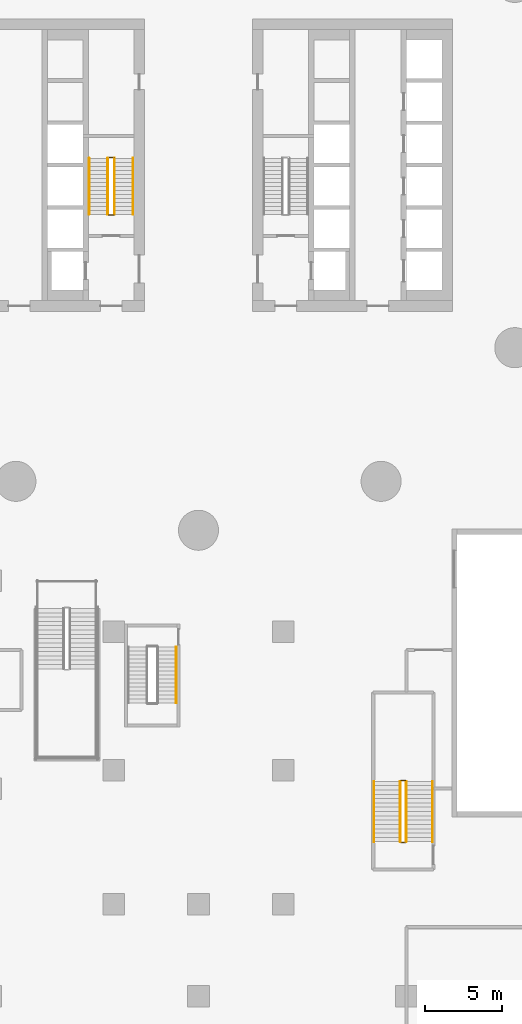
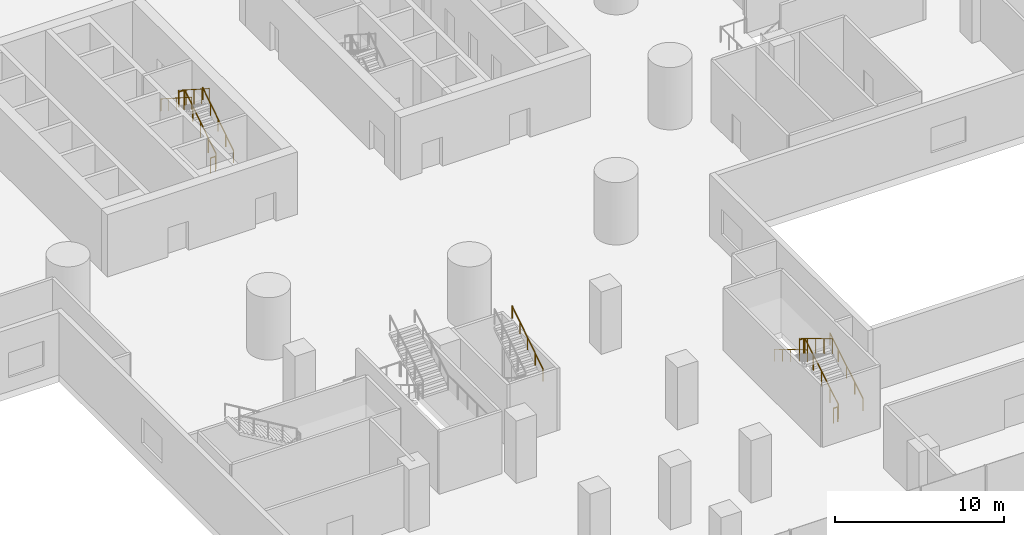
# One storey, part 37 of 44: 13 railings.
"""IFC4 building model written with IfcOpenShell, lengths in metres."""

import ifcopenshell
import ifcopenshell.guid

model = None  # the IFC model being written
_history = None  # IfcOwnerHistory: only IFC2X3 demands one
_inside = {}  # id of a spatial element -> (the spatial element, [elements in it])
_under = {}  # id of a project, library or spatial element -> (it, [spatial elements below it])
_declared = {}  # id of a project -> (the project, [libraries it declares])
_typed = {}  # id of a type object -> (the type object, [elements of that type])
_made_of = {}  # id of a material, layer set ... -> (it, [elements and type objects made of it])


def new_model(schema):
    """Start an empty IFC model of exactly this schema.

    Asked for "IFC4X3", IfcOpenShell would pick the latest addendum, in which some entities
    have other attributes; the version numbers below select the first issue.
    IFC2X3 requires an IfcOwnerHistory on every rooted entity: one is made here for all.
    """
    global model, _history
    if schema == "IFC4X3":
        model = ifcopenshell.file(schema_version=(4, 3, 0, 0))
    else:
        model = ifcopenshell.file(schema=schema)
    _inside.clear()
    _under.clear()
    _declared.clear()
    _typed.clear()
    _made_of.clear()
    _history = None
    if model.schema == "IFC2X3":
        org = make("IfcOrganization", Name="unknown")
        user = make(
            "IfcPersonAndOrganization",
            ThePerson=make("IfcPerson", FamilyName="unknown"),
            TheOrganization=org,
        )
        app = make(
            "IfcApplication",
            ApplicationDeveloper=org,
            Version="unknown",
            ApplicationFullName="unknown",
            ApplicationIdentifier="unknown",
        )
        _history = make(
            "IfcOwnerHistory",
            OwningUser=user,
            OwningApplication=app,
            ChangeAction="ADDED",
            CreationDate=0,
        )
    return model


def make(cls, **values):
    """One entity of the class cls with the attributes given. An attribute that is None is left unset."""
    return model.create_entity(
        cls, **{name: value for name, value in values.items() if value is not None}
    )


def rooted(cls, **values):
    """An entity with a GlobalId (a new one), such as an element, a storey or a relation."""
    return make(cls, GlobalId=ifcopenshell.guid.new(), OwnerHistory=_history, **values)


def si_unit(unit_type, name, prefix=None):
    """IfcSIUnit, for example si_unit("LENGTHUNIT", "METRE", prefix="MILLI")."""
    return make("IfcSIUnit", UnitType=unit_type, Prefix=prefix, Name=name)


def assignment(units):
    """IfcUnitAssignment: the units of a project."""
    return None if units is None else make("IfcUnitAssignment", Units=units)


def point(xyz):
    """IfcCartesianPoint."""
    return None if xyz is None else make("IfcCartesianPoint", Coordinates=xyz)


def direction(xyz):
    """IfcDirection."""
    return None if xyz is None else make("IfcDirection", DirectionRatios=xyz)


def frame(location, z_axis=None, x_axis=None):
    """IfcAxis2Placement3D, a coordinate frame: its origin and axes. An axis left out is left unset."""
    return make(
        "IfcAxis2Placement3D",
        Location=point(location),
        Axis=direction(z_axis),
        RefDirection=direction(x_axis),
    )


def frame_2d(location, x_axis=None):
    """IfcAxis2Placement2D, a coordinate frame in the plane: its origin and x axis."""
    return make(
        "IfcAxis2Placement2D", Location=point(location), RefDirection=direction(x_axis)
    )


def origin():
    """The frame at (0, 0, 0) with its axes left unset."""
    return frame((0.0, 0.0, 0.0))


def origin_2d():
    """The frame at (0, 0) in the plane with its x axis left unset."""
    return frame_2d((0.0, 0.0))


def place(relative_to, where):
    """IfcLocalPlacement: puts the frame where relative to a parent placement (None: the world)."""
    return make(
        "IfcLocalPlacement", PlacementRelTo=relative_to, RelativePlacement=where
    )


def context(
    kind, dimensions, precision=None, world=None, true_north=None, identifier=None
):
    """IfcGeometricRepresentationContext, for example the 3D "Model" context."""
    return make(
        "IfcGeometricRepresentationContext",
        ContextIdentifier=identifier,
        ContextType=kind,
        CoordinateSpaceDimension=dimensions,
        Precision=precision,
        WorldCoordinateSystem=world,
        TrueNorth=true_north,
    )


def subcontext(parent, identifier, kind, view, scale=None):
    """IfcGeometricRepresentationSubContext, for example "Body" below "Model"."""
    return make(
        "IfcGeometricRepresentationSubContext",
        ContextIdentifier=identifier,
        ContextType=kind,
        ParentContext=parent,
        TargetScale=scale,
        TargetView=view,
    )


def project(units=None, contexts=None):
    """IfcProject with its units and contexts."""
    return rooted(
        "IfcProject",
        Name="project",
        RepresentationContexts=contexts,
        UnitsInContext=assignment(units),
    )


def spatial(cls, under=None, at=None, **own):
    """A site, building, storey or space (cls), placed at a placement, below another one or the project."""
    s = rooted(cls, ObjectPlacement=at, **own)
    if under is not None:
        _under.setdefault(under.id(), (under, []))[1].append(s)
    return s


def profile(cls, at=None, kind="AREA", **sizes):
    """A parametric profile (cls). Its sizes go by their IFC names, for example OverallWidth=200.0."""
    return make(cls, ProfileType=kind, Position=at, **sizes)


def circle(**sizes):
    """IfcCircleProfileDef."""
    return profile("IfcCircleProfileDef", **sizes)


def extrude(swept, where, along, depth):
    """IfcExtrudedAreaSolid: the profile swept, set in the frame where, extruded along a direction by depth."""
    return make(
        "IfcExtrudedAreaSolid",
        SweptArea=swept,
        Position=where,
        ExtrudedDirection=direction(along),
        Depth=depth,
    )


def shape(context_of_items, identifier, shape_type, items):
    """IfcShapeRepresentation: the items that make up one representation, for example the "Body"."""
    return make(
        "IfcShapeRepresentation",
        ContextOfItems=context_of_items,
        RepresentationIdentifier=identifier,
        RepresentationType=shape_type,
        Items=items,
    )


def material(Name=None, Category=None):
    """IfcMaterial."""
    return make("IfcMaterial", Name=Name, Category=Category)


def made_of(thing, what):
    """Note that an element or type object is made of a material, layer set ...; save() writes the relation."""
    if what is not None:
        _made_of.setdefault(what.id(), (what, []))[1].append(thing)
    return thing


def type_object(cls, material=None, **own):
    """A type object (cls), such as IfcWallType, which elements share."""
    return made_of(rooted(cls, **own), material)


def element(
    cls,
    number,
    at=None,
    inside=None,
    cuts=None,
    type_object=None,
    material=None,
    context=None,
    identifier="Body",
    shape_type=None,
    held_by="IfcProductDefinitionShape",
    body=None,
    shapes=None,
    **own,
):
    """One element of the class cls, such as IfcWall. Its Tag is "e" and its number.

    at: its placement. inside: the storey or other place that contains it. cuts: it is an
    opening in that element (IfcRelVoidsElement). A single representation is given by context,
    identifier, shape_type and body (its items); several are given by shapes. held_by: the class
    of the entity that holds the representations. save() writes the other relations.
    """
    e = rooted(cls, Tag="e%d" % number, ObjectPlacement=at, **own)
    if body is not None:
        shapes = [shape(context, identifier, shape_type, body)]
    if shapes is not None:
        e.Representation = make(held_by, Representations=shapes)
    if inside is not None:
        _inside.setdefault(inside.id(), (inside, []))[1].append(e)
    if cuts is not None:
        rooted(
            "IfcRelVoidsElement", RelatingBuildingElement=cuts, RelatedOpeningElement=e
        )
    if type_object is not None:
        _typed.setdefault(type_object.id(), (type_object, []))[1].append(e)
    return made_of(e, material)


def aggregate(whole, parts):
    """IfcRelAggregates: a whole, such as a stair, and the parts it consists of."""
    return rooted("IfcRelAggregates", RelatingObject=whole, RelatedObjects=parts)


def save(model, path):
    """Write the relations noted so far, then the file.

    IfcRelAggregates (storeys below a building ...), IfcRelContainedInSpatialStructure (elements
    in a storey), IfcRelDefinesByType, IfcRelAssociatesMaterial and IfcRelDeclares: one each for
    every whole, place, type object, material and project.
    """
    for whole, parts in _under.values():
        aggregate(whole, parts)
    for where, things in _inside.values():
        rooted(
            "IfcRelContainedInSpatialStructure",
            RelatedElements=things,
            RelatingStructure=where,
        )
    for kind, things in _typed.values():
        rooted("IfcRelDefinesByType", RelatedObjects=things, RelatingType=kind)
    for what, things in _made_of.values():
        rooted("IfcRelAssociatesMaterial", RelatedObjects=things, RelatingMaterial=what)
    for by, libraries in _declared.values():
        rooted("IfcRelDeclares", RelatingContext=by, RelatedDefinitions=libraries)
    model.write(path)


model = new_model("IFC4")

# Units and contexts
model_context = context("Model", 3, precision=1e-05, world=origin(), true_north=direction((0.0, 1.0)))
body_context = subcontext(model_context, "Body", "Model", "MODEL_VIEW")
ifc_project = project(units=[si_unit("LENGTHUNIT", "METRE"), si_unit("AREAUNIT", "SQUARE_METRE"), si_unit("VOLUMEUNIT", "CUBIC_METRE"), si_unit("PLANEANGLEUNIT", "RADIAN"), si_unit("MASSUNIT", "GRAM", prefix="KILO")], contexts=[model_context])

# Site, building, storey
site_placement = place(None, origin())
site = spatial("IfcSite", under=ifc_project, at=site_placement, CompositionType="ELEMENT")
building_placement = place(site_placement, origin())
building = spatial("IfcBuilding", under=site, at=building_placement, Name="Tamarind Cross Interchange Tower", CompositionType="ELEMENT")
storey_placement = place(building_placement, frame((0.0, 0.0, 15.0)))
storey = spatial("IfcBuildingStorey", under=building, at=storey_placement, Name="L02", CompositionType="ELEMENT", Elevation=15.0)

# Railings
ifc_material_1 = material(Name="Public stair guard")
railing_type_1 = type_object("IfcRailingType", Name="Public stair guard", PredefinedType="GUARDRAIL", material=ifc_material_1)
railing_1_placement = place(storey_placement, frame((13.5, -43.949951171875, 0.166748046875)))
element("IfcRailing", 1, at=railing_1_placement, inside=storey, type_object=railing_type_1, Name="L02 XS-P12 stair guard 1", PredefinedType="GUARDRAIL", context=body_context, shape_type="SweptSolid", body=[
    extrude(circle(Radius=0.02392578125, at=origin_2d()), frame((0.0, 0.0, 1.076171875), z_axis=(0.0, 0.859296244711, 0.511478214419), x_axis=(-1.0, 0.0, 0.0)), (0.0, 0.0, 1.0), 4.561767578125),
    extrude(circle(Radius=0.02099609375, at=origin_2d()), origin(), (0.0, 0.0, 1.0), 1.052001953125),
    extrude(circle(Radius=0.02099609375, at=origin_2d()), frame((0.0, 0.97998046875, 0.583251953125)), (0.0, 0.0, 1.0), 1.052001953125),
    extrude(circle(Radius=0.02099609375, at=origin_2d()), frame((0.0, 1.9599609375, 1.16650390625)), (0.0, 0.0, 1.0), 1.052001953125),
    extrude(circle(Radius=0.02099609375, at=origin_2d()), frame((0.0, 2.93994140625, 1.75)), (0.0, 0.0, 1.0), 1.052001953125),
    extrude(circle(Radius=0.02099609375, at=origin_2d()), frame((0.0, 3.919921875, 2.333251953125)), (0.0, 0.0, 1.0), 1.052001953125),
])
railing_2_placement = place(storey_placement, frame((13.449951171875, -39.97998046875, 2.5)))
element("IfcRailing", 2, at=railing_2_placement, inside=storey, type_object=railing_type_1, Name="L02 XS-P12 stair guard 2", PredefinedType="GUARDRAIL", context=body_context, shape_type="SweptSolid", body=[
    extrude(circle(Radius=0.02392578125, at=origin_2d()), frame((0.0, 0.0, 1.076171875), z_axis=(-1.0, 0.0, 0.0), x_axis=(0.0, -1.0, 0.0)), (0.0, 0.0, 1.0), 0.300048828125),
    extrude(circle(Radius=0.02099609375, at=origin_2d()), origin(), (0.0, 0.0, 1.0), 1.052001953125),
    extrude(circle(Radius=0.02099609375, at=origin_2d()), frame((-0.300048828125, 0.0, 0.0)), (0.0, 0.0, 1.0), 1.052001953125),
])
railing_3_placement = place(storey_placement, frame((13.10009765625, -40.030029296875, 2.666748046875)))
element("IfcRailing", 3, at=railing_3_placement, inside=storey, type_object=railing_type_1, Name="L02 XS-P12 stair guard 3", PredefinedType="GUARDRAIL", context=body_context, shape_type="SweptSolid", body=[
    extrude(circle(Radius=0.02392578125, at=origin_2d()), frame((0.0, 0.0, 1.076171875), z_axis=(0.0, -0.859296244711, 0.511478214419), x_axis=(1.0, 0.0, 0.0)), (0.0, 0.0, 1.0), 4.561767578125),
    extrude(circle(Radius=0.02099609375, at=origin_2d()), origin(), (0.0, 0.0, 1.0), 1.052001953125),
    extrude(circle(Radius=0.02099609375, at=origin_2d()), frame((0.0, -0.97998046875, 0.583251953125)), (0.0, 0.0, 1.0), 1.052001953125),
    extrude(circle(Radius=0.02099609375, at=origin_2d()), frame((0.0, -1.9599609375, 1.16650390625)), (0.0, 0.0, 1.0), 1.052001953125),
    extrude(circle(Radius=0.02099609375, at=origin_2d()), frame((0.0, -2.93994140625, 1.75)), (0.0, 0.0, 1.0), 1.052001953125),
    extrude(circle(Radius=0.02099609375, at=origin_2d()), frame((0.0, -3.919921875, 2.333251953125)), (0.0, 0.0, 1.0), 1.052001953125),
])
railing_4_placement = place(storey_placement, frame((13.449951171875, -44.0, 0.0)))
element("IfcRailing", 4, at=railing_4_placement, inside=storey, type_object=railing_type_1, Name="L02 XS-P12 stair guard 4", PredefinedType="GUARDRAIL", context=body_context, shape_type="SweptSolid", body=[
    extrude(circle(Radius=0.02392578125, at=origin_2d()), frame((0.0, 0.0, 1.076171875), z_axis=(-1.0, 0.0, 0.0), x_axis=(0.0, -1.0, 0.0)), (0.0, 0.0, 1.0), 0.300048828125),
    extrude(circle(Radius=0.02099609375, at=origin_2d()), origin(), (0.0, 0.0, 1.0), 1.052001953125),
    extrude(circle(Radius=0.02099609375, at=origin_2d()), frame((-0.300048828125, 0.0, 0.0)), (0.0, 0.0, 1.0), 1.052001953125),
])
ifc_material_2 = material(Name="Public stair handrail")
railing_type_2 = type_object("IfcRailingType", Name="Public stair handrail", PredefinedType="HANDRAIL", material=ifc_material_2)
railing_5_placement = place(storey_placement, frame((15.199951171875, -43.949951171875, 0.166748046875)))
element("IfcRailing", 5, at=railing_5_placement, inside=storey, type_object=railing_type_2, Name="L02 XS-P12 stair handrail 1", PredefinedType="HANDRAIL", context=body_context, shape_type="SweptSolid", body=[
    extrude(circle(Radius=0.02392578125, at=origin_2d()), frame((0.0, 0.0, 0.8759765625), z_axis=(0.0, 0.859296244711, 0.511478214419), x_axis=(-1.0, 0.0, 0.0)), (0.0, 0.0, 1.0), 4.561767578125),
    extrude(circle(Radius=0.02099609375, at=origin_2d()), origin(), (0.0, 0.0, 1.0), 0.851806640625),
    extrude(circle(Radius=0.02099609375, at=origin_2d()), frame((0.0, 0.97998046875, 0.583251953125)), (0.0, 0.0, 1.0), 0.851806640625),
    extrude(circle(Radius=0.02099609375, at=origin_2d()), frame((0.0, 1.9599609375, 1.16650390625)), (0.0, 0.0, 1.0), 0.851806640625),
    extrude(circle(Radius=0.02099609375, at=origin_2d()), frame((0.0, 2.93994140625, 1.75)), (0.0, 0.0, 1.0), 0.851806640625),
    extrude(circle(Radius=0.02099609375, at=origin_2d()), frame((0.0, 3.919921875, 2.333251953125)), (0.0, 0.0, 1.0), 0.851806640625),
])
railing_6_placement = place(storey_placement, frame((11.39990234375, -40.030029296875, 2.666748046875)))
element("IfcRailing", 6, at=railing_6_placement, inside=storey, type_object=railing_type_2, Name="L02 XS-P12 stair handrail 2", PredefinedType="HANDRAIL", context=body_context, shape_type="SweptSolid", body=[
    extrude(circle(Radius=0.02392578125, at=origin_2d()), frame((0.0, 0.0, 0.8759765625), z_axis=(0.0, -0.859296244711, 0.511478214419), x_axis=(1.0, 0.0, 0.0)), (0.0, 0.0, 1.0), 4.561767578125),
    extrude(circle(Radius=0.02099609375, at=origin_2d()), origin(), (0.0, 0.0, 1.0), 0.851806640625),
    extrude(circle(Radius=0.02099609375, at=origin_2d()), frame((0.0, -0.97998046875, 0.583251953125)), (0.0, 0.0, 1.0), 0.851806640625),
    extrude(circle(Radius=0.02099609375, at=origin_2d()), frame((0.0, -1.9599609375, 1.16650390625)), (0.0, 0.0, 1.0), 0.851806640625),
    extrude(circle(Radius=0.02099609375, at=origin_2d()), frame((0.0, -2.93994140625, 1.75)), (0.0, 0.0, 1.0), 0.851806640625),
    extrude(circle(Radius=0.02099609375, at=origin_2d()), frame((0.0, -3.919921875, 2.333251953125)), (0.0, 0.0, 1.0), 0.851806640625),
])
ifc_material_3 = material(Name="Stair guard")
railing_type_3 = type_object("IfcRailingType", Name="Stair guard", PredefinedType="GUARDRAIL", material=ifc_material_3)
railing_7_placement = place(storey_placement, frame((-5.449951171875, -3.199951171875, 0.166748046875)))
element("IfcRailing", 7, at=railing_7_placement, inside=storey, type_object=railing_type_3, Name="L02 ST1 stair guard 1", PredefinedType="GUARDRAIL", context=body_context, shape_type="SweptSolid", body=[
    extrude(circle(Radius=0.02392578125, at=origin_2d()), frame((0.0, 0.0, 1.076171875), z_axis=(0.0, 0.841880454617, 0.539664062296), x_axis=(-1.0, 0.0, 0.0)), (0.0, 0.0, 1.0), 4.323486328125),
    extrude(circle(Radius=0.02099609375, at=origin_2d()), origin(), (0.0, 0.0, 1.0), 1.052001953125),
    extrude(circle(Radius=0.02099609375, at=origin_2d()), frame((0.0, 0.909912109375, 0.583251953125)), (0.0, 0.0, 1.0), 1.052001953125),
    extrude(circle(Radius=0.02099609375, at=origin_2d()), frame((0.0, 1.81982421875, 1.16650390625)), (0.0, 0.0, 1.0), 1.052001953125),
    extrude(circle(Radius=0.02099609375, at=origin_2d()), frame((0.0, 2.72998046875, 1.75)), (0.0, 0.0, 1.0), 1.052001953125),
    extrude(circle(Radius=0.02099609375, at=origin_2d()), frame((0.0, 3.639892578125, 2.333251953125)), (0.0, 0.0, 1.0), 1.052001953125),
])
railing_8_placement = place(storey_placement, frame((-5.5, 0.489990234375, 2.5)))
element("IfcRailing", 8, at=railing_8_placement, inside=storey, type_object=railing_type_3, Name="L02 ST1 stair guard 2", PredefinedType="GUARDRAIL", context=body_context, shape_type="SweptSolid", body=[
    extrude(circle(Radius=0.02392578125, at=origin_2d()), frame((0.0, 0.0, 1.076171875), z_axis=(-1.0, 0.0, 0.0), x_axis=(0.0, -1.0, 0.0)), (0.0, 0.0, 1.0), 0.35009765625),
    extrude(circle(Radius=0.02099609375, at=origin_2d()), origin(), (0.0, 0.0, 1.0), 1.052001953125),
    extrude(circle(Radius=0.02099609375, at=origin_2d()), frame((-0.35009765625, 0.0, 0.0)), (0.0, 0.0, 1.0), 1.052001953125),
])
railing_9_placement = place(storey_placement, frame((-5.89990234375, 0.43994140625, 2.666748046875)))
element("IfcRailing", 9, at=railing_9_placement, inside=storey, type_object=railing_type_3, Name="L02 ST1 stair guard 3", PredefinedType="GUARDRAIL", context=body_context, shape_type="SweptSolid", body=[
    extrude(circle(Radius=0.02392578125, at=origin_2d()), frame((0.0, 0.0, 1.076171875), z_axis=(0.0, -0.841880454617, 0.539664062296), x_axis=(1.0, 0.0, 0.0)), (0.0, 0.0, 1.0), 4.323486328125),
    extrude(circle(Radius=0.02099609375, at=origin_2d()), origin(), (0.0, 0.0, 1.0), 1.052001953125),
    extrude(circle(Radius=0.02099609375, at=origin_2d()), frame((0.0, -0.909912109375, 0.583251953125)), (0.0, 0.0, 1.0), 1.052001953125),
    extrude(circle(Radius=0.02099609375, at=origin_2d()), frame((0.0, -1.81982421875, 1.16650390625)), (0.0, 0.0, 1.0), 1.052001953125),
    extrude(circle(Radius=0.02099609375, at=origin_2d()), frame((0.0, -2.72998046875, 1.75)), (0.0, 0.0, 1.0), 1.052001953125),
    extrude(circle(Radius=0.02099609375, at=origin_2d()), frame((0.0, -3.639892578125, 2.333251953125)), (0.0, 0.0, 1.0), 1.052001953125),
])
railing_10_placement = place(storey_placement, frame((-5.5, -3.25, 0.0)))
element("IfcRailing", 10, at=railing_10_placement, inside=storey, type_object=railing_type_3, Name="L02 ST1 stair guard 4", PredefinedType="GUARDRAIL", context=body_context, shape_type="SweptSolid", body=[
    extrude(circle(Radius=0.02392578125, at=origin_2d()), frame((0.0, 0.0, 1.076171875), z_axis=(-1.0, 0.0, 0.0), x_axis=(0.0, -1.0, 0.0)), (0.0, 0.0, 1.0), 0.35009765625),
    extrude(circle(Radius=0.02099609375, at=origin_2d()), origin(), (0.0, 0.0, 1.0), 1.052001953125),
    extrude(circle(Radius=0.02099609375, at=origin_2d()), frame((-0.35009765625, 0.0, 0.0)), (0.0, 0.0, 1.0), 1.052001953125),
])
ifc_material_4 = material(Name="Stair handrail")
railing_type_4 = type_object("IfcRailingType", Name="Stair handrail", PredefinedType="HANDRAIL", material=ifc_material_4)
railing_11_placement = place(storey_placement, frame((-4.25, -3.199951171875, 0.166748046875)))
element("IfcRailing", 11, at=railing_11_placement, inside=storey, type_object=railing_type_4, Name="L02 ST1 stair handrail 1", PredefinedType="HANDRAIL", context=body_context, shape_type="SweptSolid", body=[
    extrude(circle(Radius=0.02392578125, at=origin_2d()), frame((0.0, 0.0, 0.8759765625), z_axis=(0.0, 0.841880454617, 0.539664062296), x_axis=(-1.0, 0.0, 0.0)), (0.0, 0.0, 1.0), 4.323486328125),
    extrude(circle(Radius=0.02099609375, at=origin_2d()), origin(), (0.0, 0.0, 1.0), 0.851806640625),
    extrude(circle(Radius=0.02099609375, at=origin_2d()), frame((0.0, 0.909912109375, 0.583251953125)), (0.0, 0.0, 1.0), 0.851806640625),
    extrude(circle(Radius=0.02099609375, at=origin_2d()), frame((0.0, 1.81982421875, 1.16650390625)), (0.0, 0.0, 1.0), 0.851806640625),
    extrude(circle(Radius=0.02099609375, at=origin_2d()), frame((0.0, 2.72998046875, 1.75)), (0.0, 0.0, 1.0), 0.851806640625),
    extrude(circle(Radius=0.02099609375, at=origin_2d()), frame((0.0, 3.639892578125, 2.333251953125)), (0.0, 0.0, 1.0), 0.851806640625),
])
railing_12_placement = place(storey_placement, frame((-7.10009765625, 0.43994140625, 2.666748046875)))
element("IfcRailing", 12, at=railing_12_placement, inside=storey, type_object=railing_type_4, Name="L02 ST1 stair handrail 2", PredefinedType="HANDRAIL", context=body_context, shape_type="SweptSolid", body=[
    extrude(circle(Radius=0.02392578125, at=origin_2d()), frame((0.0, 0.0, 0.8759765625), z_axis=(0.0, -0.841880454617, 0.539664062296), x_axis=(1.0, 0.0, 0.0)), (0.0, 0.0, 1.0), 4.323486328125),
    extrude(circle(Radius=0.02099609375, at=origin_2d()), origin(), (0.0, 0.0, 1.0), 0.851806640625),
    extrude(circle(Radius=0.02099609375, at=origin_2d()), frame((0.0, -0.909912109375, 0.583251953125)), (0.0, 0.0, 1.0), 0.851806640625),
    extrude(circle(Radius=0.02099609375, at=origin_2d()), frame((0.0, -1.81982421875, 1.16650390625)), (0.0, 0.0, 1.0), 0.851806640625),
    extrude(circle(Radius=0.02099609375, at=origin_2d()), frame((0.0, -2.72998046875, 1.75)), (0.0, 0.0, 1.0), 0.851806640625),
    extrude(circle(Radius=0.02099609375, at=origin_2d()), frame((0.0, -3.639892578125, 2.333251953125)), (0.0, 0.0, 1.0), 0.851806640625),
])
railing_13_placement = place(storey_placement, frame((-1.449951171875, -34.93994140625, 2.666748046875)))
element("IfcRailing", 13, at=railing_13_placement, inside=storey, type_object=railing_type_4, Name="L02 ST6 stair handrail 2", PredefinedType="HANDRAIL", context=body_context, shape_type="SweptSolid", body=[
    extrude(circle(Radius=0.02392578125, at=origin_2d()), frame((0.0, 0.0, 0.8759765625), z_axis=(0.0, 0.841880454617, 0.539664062296), x_axis=(-1.0, 0.0, 0.0)), (0.0, 0.0, 1.0), 4.323486328125),
    extrude(circle(Radius=0.02099609375, at=origin_2d()), origin(), (0.0, 0.0, 1.0), 0.851806640625),
    extrude(circle(Radius=0.02099609375, at=origin_2d()), frame((0.0, 0.909912109375, 0.583251953125)), (0.0, 0.0, 1.0), 0.851806640625),
    extrude(circle(Radius=0.02099609375, at=origin_2d()), frame((0.0, 1.81982421875, 1.16650390625)), (0.0, 0.0, 1.0), 0.851806640625),
    extrude(circle(Radius=0.02099609375, at=origin_2d()), frame((0.0, 2.72998046875, 1.75)), (0.0, 0.0, 1.0), 0.851806640625),
    extrude(circle(Radius=0.02099609375, at=origin_2d()), frame((0.0, 3.639892578125, 2.333251953125)), (0.0, 0.0, 1.0), 0.851806640625),
])

save(model, "model.ifc")
